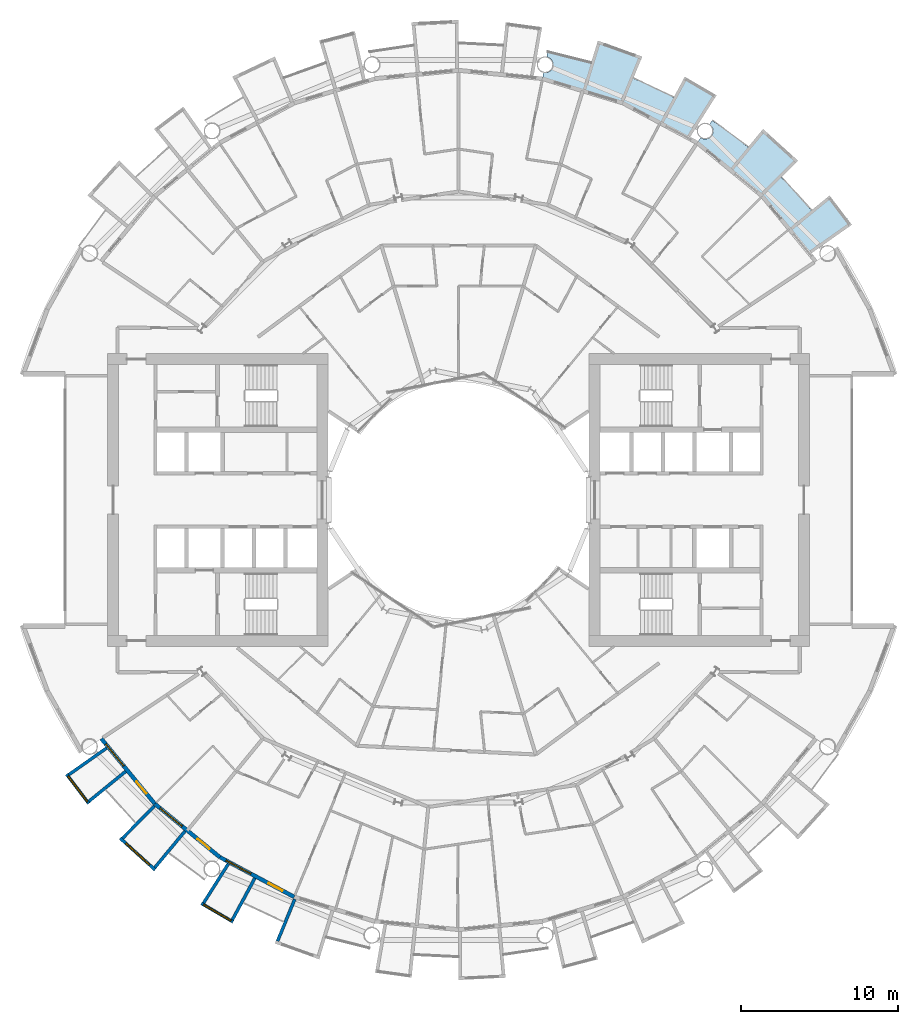
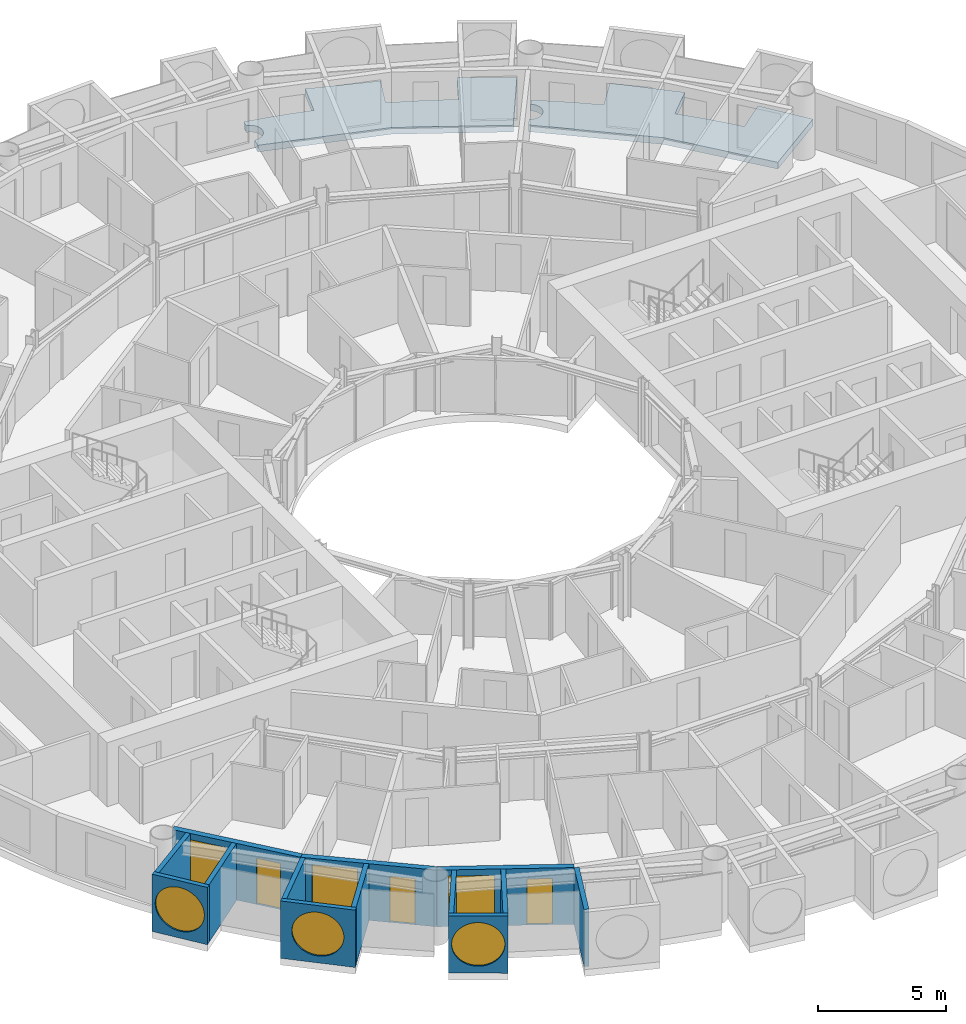
# One storey, part 12 of 26: 13 walls, 6 windows, 3 doors, 2 slabs, 9 openings.
"""IFC4 building model written with IfcOpenShell, lengths in metres."""

import ifcopenshell
import ifcopenshell.guid

model = None  # the IFC model being written
_history = None  # IfcOwnerHistory: only IFC2X3 demands one
_inside = {}  # id of a spatial element -> (the spatial element, [elements in it])
_under = {}  # id of a project, library or spatial element -> (it, [spatial elements below it])
_declared = {}  # id of a project -> (the project, [libraries it declares])
_typed = {}  # id of a type object -> (the type object, [elements of that type])
_made_of = {}  # id of a material, layer set ... -> (it, [elements and type objects made of it])


def new_model(schema):
    """Start an empty IFC model of exactly this schema.

    Asked for "IFC4X3", IfcOpenShell would pick the latest addendum, in which some entities
    have other attributes; the version numbers below select the first issue.
    IFC2X3 requires an IfcOwnerHistory on every rooted entity: one is made here for all.
    """
    global model, _history
    if schema == "IFC4X3":
        model = ifcopenshell.file(schema_version=(4, 3, 0, 0))
    else:
        model = ifcopenshell.file(schema=schema)
    _inside.clear()
    _under.clear()
    _declared.clear()
    _typed.clear()
    _made_of.clear()
    _history = None
    if model.schema == "IFC2X3":
        org = make("IfcOrganization", Name="unknown")
        user = make(
            "IfcPersonAndOrganization",
            ThePerson=make("IfcPerson", FamilyName="unknown"),
            TheOrganization=org,
        )
        app = make(
            "IfcApplication",
            ApplicationDeveloper=org,
            Version="unknown",
            ApplicationFullName="unknown",
            ApplicationIdentifier="unknown",
        )
        _history = make(
            "IfcOwnerHistory",
            OwningUser=user,
            OwningApplication=app,
            ChangeAction="ADDED",
            CreationDate=0,
        )
    return model


def make(cls, **values):
    """One entity of the class cls with the attributes given. An attribute that is None is left unset."""
    return model.create_entity(
        cls, **{name: value for name, value in values.items() if value is not None}
    )


def rooted(cls, **values):
    """An entity with a GlobalId (a new one), such as an element, a storey or a relation."""
    return make(cls, GlobalId=ifcopenshell.guid.new(), OwnerHistory=_history, **values)


def si_unit(unit_type, name, prefix=None):
    """IfcSIUnit, for example si_unit("LENGTHUNIT", "METRE", prefix="MILLI")."""
    return make("IfcSIUnit", UnitType=unit_type, Prefix=prefix, Name=name)


def assignment(units):
    """IfcUnitAssignment: the units of a project."""
    return None if units is None else make("IfcUnitAssignment", Units=units)


def point(xyz):
    """IfcCartesianPoint."""
    return None if xyz is None else make("IfcCartesianPoint", Coordinates=xyz)


def direction(xyz):
    """IfcDirection."""
    return None if xyz is None else make("IfcDirection", DirectionRatios=xyz)


def frame(location, z_axis=None, x_axis=None):
    """IfcAxis2Placement3D, a coordinate frame: its origin and axes. An axis left out is left unset."""
    return make(
        "IfcAxis2Placement3D",
        Location=point(location),
        Axis=direction(z_axis),
        RefDirection=direction(x_axis),
    )


def frame_2d(location, x_axis=None):
    """IfcAxis2Placement2D, a coordinate frame in the plane: its origin and x axis."""
    return make(
        "IfcAxis2Placement2D", Location=point(location), RefDirection=direction(x_axis)
    )


def origin():
    """The frame at (0, 0, 0) with its axes left unset."""
    return frame((0.0, 0.0, 0.0))


def place(relative_to, where):
    """IfcLocalPlacement: puts the frame where relative to a parent placement (None: the world)."""
    return make(
        "IfcLocalPlacement", PlacementRelTo=relative_to, RelativePlacement=where
    )


def context(
    kind, dimensions, precision=None, world=None, true_north=None, identifier=None
):
    """IfcGeometricRepresentationContext, for example the 3D "Model" context."""
    return make(
        "IfcGeometricRepresentationContext",
        ContextIdentifier=identifier,
        ContextType=kind,
        CoordinateSpaceDimension=dimensions,
        Precision=precision,
        WorldCoordinateSystem=world,
        TrueNorth=true_north,
    )


def subcontext(parent, identifier, kind, view, scale=None):
    """IfcGeometricRepresentationSubContext, for example "Body" below "Model"."""
    return make(
        "IfcGeometricRepresentationSubContext",
        ContextIdentifier=identifier,
        ContextType=kind,
        ParentContext=parent,
        TargetScale=scale,
        TargetView=view,
    )


def project(units=None, contexts=None):
    """IfcProject with its units and contexts."""
    return rooted(
        "IfcProject",
        Name="project",
        RepresentationContexts=contexts,
        UnitsInContext=assignment(units),
    )


def spatial(cls, under=None, at=None, **own):
    """A site, building, storey or space (cls), placed at a placement, below another one or the project."""
    s = rooted(cls, ObjectPlacement=at, **own)
    if under is not None:
        _under.setdefault(under.id(), (under, []))[1].append(s)
    return s


def polyline(points):
    """IfcPolyline through the points."""
    return make("IfcPolyline", Points=[point(p) for p in points])


def profile(cls, at=None, kind="AREA", **sizes):
    """A parametric profile (cls). Its sizes go by their IFC names, for example OverallWidth=200.0."""
    return make(cls, ProfileType=kind, Position=at, **sizes)


def rectangle(**sizes):
    """IfcRectangleProfileDef."""
    return profile("IfcRectangleProfileDef", **sizes)


def circle(**sizes):
    """IfcCircleProfileDef."""
    return profile("IfcCircleProfileDef", **sizes)


def outline(outer, holes=None, kind="AREA"):
    """IfcArbitraryClosedProfileDef: a profile drawn as a closed curve; with holes, ...WithVoids."""
    if holes is None:
        return make("IfcArbitraryClosedProfileDef", ProfileType=kind, OuterCurve=outer)
    return make(
        "IfcArbitraryProfileDefWithVoids",
        ProfileType=kind,
        OuterCurve=outer,
        InnerCurves=holes,
    )


def extrude(swept, where, along, depth):
    """IfcExtrudedAreaSolid: the profile swept, set in the frame where, extruded along a direction by depth."""
    return make(
        "IfcExtrudedAreaSolid",
        SweptArea=swept,
        Position=where,
        ExtrudedDirection=direction(along),
        Depth=depth,
    )


def shape(context_of_items, identifier, shape_type, items):
    """IfcShapeRepresentation: the items that make up one representation, for example the "Body"."""
    return make(
        "IfcShapeRepresentation",
        ContextOfItems=context_of_items,
        RepresentationIdentifier=identifier,
        RepresentationType=shape_type,
        Items=items,
    )


def material(Name=None, Category=None):
    """IfcMaterial."""
    return make("IfcMaterial", Name=Name, Category=Category)


def layer(
    of_material, thickness, ventilated=None, Name=None, Category=None, Priority=None
):
    """IfcMaterialLayer: one layer of a wall or slab, of a material (None: an air gap)."""
    return make(
        "IfcMaterialLayer",
        Material=of_material,
        LayerThickness=thickness,
        IsVentilated=ventilated,
        Name=Name,
        Category=Category,
        Priority=Priority,
    )


def layer_set(layers, Name=None):
    """IfcMaterialLayerSet."""
    return make("IfcMaterialLayerSet", MaterialLayers=layers, LayerSetName=Name)


def made_of(thing, what):
    """Note that an element or type object is made of a material, layer set ...; save() writes the relation."""
    if what is not None:
        _made_of.setdefault(what.id(), (what, []))[1].append(thing)
    return thing


def type_object(cls, material=None, **own):
    """A type object (cls), such as IfcWallType, which elements share."""
    return made_of(rooted(cls, **own), material)


def element(
    cls,
    number,
    at=None,
    inside=None,
    cuts=None,
    type_object=None,
    material=None,
    context=None,
    identifier="Body",
    shape_type=None,
    held_by="IfcProductDefinitionShape",
    body=None,
    shapes=None,
    **own,
):
    """One element of the class cls, such as IfcWall. Its Tag is "e" and its number.

    at: its placement. inside: the storey or other place that contains it. cuts: it is an
    opening in that element (IfcRelVoidsElement). A single representation is given by context,
    identifier, shape_type and body (its items); several are given by shapes. held_by: the class
    of the entity that holds the representations. save() writes the other relations.
    """
    e = rooted(cls, Tag="e%d" % number, ObjectPlacement=at, **own)
    if body is not None:
        shapes = [shape(context, identifier, shape_type, body)]
    if shapes is not None:
        e.Representation = make(held_by, Representations=shapes)
    if inside is not None:
        _inside.setdefault(inside.id(), (inside, []))[1].append(e)
    if cuts is not None:
        rooted(
            "IfcRelVoidsElement", RelatingBuildingElement=cuts, RelatedOpeningElement=e
        )
    if type_object is not None:
        _typed.setdefault(type_object.id(), (type_object, []))[1].append(e)
    return made_of(e, material)


def fill(opening, filler):
    """IfcRelFillsElement: the door or window that sits in an opening."""
    return rooted(
        "IfcRelFillsElement",
        RelatingOpeningElement=opening,
        RelatedBuildingElement=filler,
    )


def aggregate(whole, parts):
    """IfcRelAggregates: a whole, such as a stair, and the parts it consists of."""
    return rooted("IfcRelAggregates", RelatingObject=whole, RelatedObjects=parts)


def save(model, path):
    """Write the relations noted so far, then the file.

    IfcRelAggregates (storeys below a building ...), IfcRelContainedInSpatialStructure (elements
    in a storey), IfcRelDefinesByType, IfcRelAssociatesMaterial and IfcRelDeclares: one each for
    every whole, place, type object, material and project.
    """
    for whole, parts in _under.values():
        aggregate(whole, parts)
    for where, things in _inside.values():
        rooted(
            "IfcRelContainedInSpatialStructure",
            RelatedElements=things,
            RelatingStructure=where,
        )
    for kind, things in _typed.values():
        rooted("IfcRelDefinesByType", RelatedObjects=things, RelatingType=kind)
    for what, things in _made_of.values():
        rooted("IfcRelAssociatesMaterial", RelatedObjects=things, RelatingMaterial=what)
    for by, libraries in _declared.values():
        rooted("IfcRelDeclares", RelatingContext=by, RelatedDefinitions=libraries)
    model.write(path)


model = new_model("IFC4")

# Units and contexts
model_context = context("Model", 3, precision=1e-05, world=origin(), true_north=direction((0.0, 1.0)))
body_context = subcontext(model_context, "Body", "Model", "MODEL_VIEW")
ifc_project = project(units=[si_unit("LENGTHUNIT", "METRE"), si_unit("AREAUNIT", "SQUARE_METRE"), si_unit("VOLUMEUNIT", "CUBIC_METRE"), si_unit("PLANEANGLEUNIT", "RADIAN"), si_unit("MASSUNIT", "GRAM", prefix="KILO")], contexts=[model_context])

# Site, building, storey
site_placement = place(None, origin())
site = spatial("IfcSite", under=ifc_project, at=site_placement, CompositionType="ELEMENT")
building_placement = place(site_placement, origin())
building = spatial("IfcBuilding", under=site, at=building_placement, Name="Maasbend Ring Residences", CompositionType="ELEMENT")
storey_placement = place(building_placement, frame((0.0, 0.0, 75.800048828125)))
storey = spatial("IfcBuildingStorey", under=building, at=storey_placement, Name="L21", CompositionType="ELEMENT", Elevation=75.800048828125)

# Slabs
ifc_material_1 = material(Name="Concrete C40/50", Category="concrete")
ifc_layer_1 = layer(ifc_material_1, 0.199951171875)
ifc_layer_set_1 = layer_set([ifc_layer_1], Name="Concrete C40/50")
slab_type = type_object("IfcSlabType", Name="SL-LOGGIA", PredefinedType="FLOOR", material=ifc_layer_set_1)
slab_1_placement = place(storey_placement, frame((0.0, 0.0, -0.35009765625)))
element("IfcSlab", 1, at=slab_1_placement, inside=storey, type_object=slab_type, Name="Loggia floor 2", PredefinedType="FLOOR", context=body_context, shape_type="SweptSolid", body=[
    extrude(outline(polyline([(5.43896484375, 27.154052734375), (5.451904296875, 27.153076171875), (5.464111328125, 27.15087890625), (5.47705078125, 27.15087890625), (5.489013671875, 27.14990234375), (5.501953125, 27.14990234375), (5.513916015625, 27.14990234375), (5.52587890625, 27.15087890625), (5.5390625, 27.15087890625), (5.551025390625, 27.153076171875), (5.56396484375, 27.154052734375), (5.575927734375, 27.156005859375), (5.587890625, 27.157958984375), (5.60107421875, 27.159912109375), (5.613037109375, 27.162109375), (5.625, 27.1650390625), (5.636962890625, 27.1689453125), (5.64892578125, 27.172119140625), (5.660888671875, 27.176025390625), (5.673095703125, 27.179931640625), (5.68408203125, 27.18408203125), (5.696044921875, 27.18896484375), (5.70703125, 27.194091796875), (5.718994140625, 27.198974609375), (5.72998046875, 27.2041015625), (5.740966796875, 27.2099609375), (5.751953125, 27.216064453125), (5.762939453125, 27.221923828125), (5.77294921875, 27.22900390625), (5.783935546875, 27.236083984375), (5.7939453125, 27.242919921875), (5.803955078125, 27.25), (5.81396484375, 27.258056640625), (5.823974609375, 27.264892578125), (5.8330078125, 27.27294921875), (5.843017578125, 27.281982421875), (5.85205078125, 27.2900390625), (5.861083984375, 27.299072265625), (5.868896484375, 27.30810546875), (5.8779296875, 27.31689453125), (5.885986328125, 27.325927734375), (5.89404296875, 27.3359375), (5.902099609375, 27.345947265625), (5.909912109375, 27.35498046875), (5.9169921875, 27.365966796875), (5.924072265625, 27.3759765625), (5.930908203125, 27.385986328125), (5.93701171875, 27.39697265625), (5.944091796875, 27.407958984375), (5.949951171875, 27.4189453125), (5.955078125, 27.429931640625), (5.9609375, 27.44091796875), (5.966064453125, 27.451904296875), (5.970947265625, 27.464111328125), (5.97509765625, 27.47509765625), (5.97998046875, 27.487060546875), (5.98388671875, 27.4990234375), (5.988037109375, 27.510986328125), (5.990966796875, 27.52294921875), (5.993896484375, 27.534912109375), (5.9970703125, 27.547119140625), (6.0, 27.55908203125), (6.001953125, 27.571044921875), (6.00390625, 27.583984375), (6.006103515625, 27.595947265625), (6.007080078125, 27.60791015625), (6.008056640625, 27.62109375), (6.009033203125, 27.633056640625), (6.009033203125, 27.64599609375), (6.010009765625, 27.657958984375), (6.009033203125, 27.6708984375), (6.009033203125, 27.68310546875), (6.008056640625, 27.695068359375), (6.007080078125, 27.7080078125), (6.006103515625, 27.719970703125), (6.00390625, 27.73291015625), (6.001953125, 27.7451171875), (6.0, 27.757080078125), (5.9970703125, 27.76904296875), (5.993896484375, 27.781982421875), (5.990966796875, 27.7939453125), (5.988037109375, 27.805908203125), (5.98388671875, 27.81689453125), (5.97998046875, 27.8291015625), (5.97509765625, 27.841064453125), (5.970947265625, 27.85302734375), (5.966064453125, 27.864013671875), (5.9609375, 27.875), (5.955078125, 27.886962890625), (5.949951171875, 27.89794921875), (5.944091796875, 27.907958984375), (5.93701171875, 27.9189453125), (5.930908203125, 27.929931640625), (5.924072265625, 27.93994140625), (5.9169921875, 27.950927734375), (5.909912109375, 27.9609375), (5.902099609375, 27.970947265625), (5.89404296875, 27.97998046875), (5.885986328125, 27.989990234375), (5.8779296875, 27.9990234375), (5.868896484375, 28.008056640625), (5.861083984375, 28.01708984375), (5.85205078125, 28.02587890625), (5.843017578125, 28.034912109375), (5.8330078125, 28.04296875), (5.823974609375, 28.051025390625), (5.81396484375, 28.05908203125), (5.803955078125, 28.06591796875), (5.7939453125, 28.072998046875), (5.783935546875, 28.080078125), (5.77294921875, 28.0869140625), (5.762939453125, 28.093994140625), (5.751953125, 28.10009765625), (5.740966796875, 28.10595703125), (5.72998046875, 28.112060546875), (5.718994140625, 28.116943359375), (5.70703125, 28.123046875), (5.696044921875, 28.126953125), (5.68408203125, 28.132080078125), (5.673095703125, 28.135986328125), (5.660888671875, 28.139892578125), (5.64892578125, 28.14404296875), (5.636962890625, 28.14794921875), (5.625, 28.15087890625), (5.613037109375, 28.154052734375), (5.60107421875, 28.156005859375), (5.657958984375, 28.443115234375), (5.657958984375, 28.443115234375), (5.657958984375, 28.443115234375), (6.5849609375, 28.241943359375), (6.5849609375, 28.241943359375), (7.506103515625, 28.011962890625), (7.506103515625, 28.011962890625), (8.41796875, 27.7509765625), (8.41796875, 27.7509765625), (8.41796875, 27.7509765625), (8.41796875, 27.7509765625), (8.41796875, 27.7509765625), (8.41796875, 27.7509765625), (8.41796875, 27.7509765625), (8.41796875, 27.7509765625), (8.41796875, 27.7509765625), (8.41796875, 27.7509765625), (8.41796875, 27.751953125), (8.41796875, 27.751953125), (8.41796875, 27.751953125), (8.41796875, 27.751953125), (8.41796875, 27.751953125), (8.41796875, 27.751953125), (8.41796875, 27.751953125), (8.85400390625, 29.18701171875), (8.85400390625, 29.18701171875), (8.85400390625, 29.18701171875), (11.672119140625, 28.177978515625), (11.672119140625, 28.177978515625), (11.672119140625, 28.177978515625), (11.097900390625, 26.79296875), (11.097900390625, 26.79296875), (11.097900390625, 26.79296875), (11.097900390625, 26.79296875), (11.097900390625, 26.79296875), (11.097900390625, 26.79296875), (11.097900390625, 26.79296875), (11.097900390625, 26.79296875), (11.097900390625, 26.79296875), (11.097900390625, 26.79296875), (11.097900390625, 26.7919921875), (11.097900390625, 26.7919921875), (11.097900390625, 26.7919921875), (11.097900390625, 26.7919921875), (11.097900390625, 26.7919921875), (11.097900390625, 26.7919921875), (11.097900390625, 26.7919921875), (11.968994140625, 26.4150390625), (11.968994140625, 26.4150390625), (12.825927734375, 26.009033203125), (12.825927734375, 26.009033203125), (13.669921875, 25.575927734375), (13.669921875, 25.575927734375), (13.669921875, 25.575927734375), (13.669921875, 25.575927734375), (13.669921875, 25.575927734375), (13.669921875, 25.575927734375), (13.669921875, 25.575927734375), (13.669921875, 25.575927734375), (13.669921875, 25.575927734375), (13.669921875, 25.575927734375), (13.6708984375, 25.575927734375), (13.6708984375, 25.575927734375), (13.6708984375, 25.575927734375), (13.6708984375, 25.575927734375), (13.6708984375, 25.575927734375), (13.6708984375, 25.575927734375), (13.6708984375, 25.575927734375), (14.3779296875, 26.89892578125), (14.3779296875, 26.89892578125), (14.3779296875, 26.89892578125), (16.39404296875, 25.718994140625), (16.39404296875, 25.718994140625), (16.39404296875, 25.718994140625), (14.64599609375, 22.97705078125), (14.64599609375, 22.97705078125), (14.64599609375, 22.97705078125), (12.806884765625, 23.9609375), (10.447021484375, 25.221923828125), (10.447021484375, 25.221923828125), (10.447021484375, 25.221923828125), (7.886962890625, 25.9990234375), (5.325927734375, 26.77490234375), (5.325927734375, 26.77490234375), (5.325927734375, 26.77490234375), (5.402099609375, 27.159912109375), (5.4150390625, 27.157958984375), (5.427001953125, 27.156005859375), (5.43896484375, 27.154052734375)])), origin(), (0.0, 0.0, 1.0), 0.320068359375),
])
slab_2_placement = place(storey_placement, frame((0.0, 0.0, -0.35009765625)))
element("IfcSlab", 2, at=slab_2_placement, inside=storey, type_object=slab_type, Name="Loggia floor 4", PredefinedType="FLOOR", context=body_context, shape_type="SweptSolid", body=[
    extrude(outline(polyline([(15.406005859375, 23.011962890625), (15.4169921875, 23.0048828125), (15.427978515625, 22.9990234375), (15.43896484375, 22.993896484375), (15.449951171875, 22.988037109375), (15.4609375, 22.98291015625), (15.472900390625, 22.97802734375), (15.48388671875, 22.972900390625), (15.49609375, 22.968994140625), (15.508056640625, 22.965087890625), (15.52001953125, 22.9609375), (15.531982421875, 22.9580078125), (15.5439453125, 22.955078125), (15.555908203125, 22.951904296875), (15.568115234375, 22.948974609375), (15.580078125, 22.947021484375), (15.593017578125, 22.945068359375), (15.60498046875, 22.943115234375), (15.616943359375, 22.94189453125), (15.6298828125, 22.94091796875), (15.64208984375, 22.93994140625), (15.655029296875, 22.93994140625), (15.6669921875, 22.93896484375), (15.679931640625, 22.93994140625), (15.69189453125, 22.93994140625), (15.7041015625, 22.94091796875), (15.717041015625, 22.94189453125), (15.72900390625, 22.943115234375), (15.741943359375, 22.945068359375), (15.75390625, 22.947021484375), (15.76611328125, 22.948974609375), (15.778076171875, 22.951904296875), (15.791015625, 22.955078125), (15.802978515625, 22.9580078125), (15.81494140625, 22.9609375), (15.825927734375, 22.965087890625), (15.837890625, 22.968994140625), (15.85009765625, 22.972900390625), (15.862060546875, 22.97802734375), (15.873046875, 22.98291015625), (15.884033203125, 22.988037109375), (15.89599609375, 22.993896484375), (15.906982421875, 22.9990234375), (15.9169921875, 23.0048828125), (15.927978515625, 23.011962890625), (15.93896484375, 23.01806640625), (15.948974609375, 23.02490234375), (15.9599609375, 23.031982421875), (15.969970703125, 23.0390625), (15.97998046875, 23.047119140625), (15.989013671875, 23.054931640625), (15.9990234375, 23.06298828125), (16.008056640625, 23.071044921875), (16.01708984375, 23.0791015625), (16.02587890625, 23.087890625), (16.034912109375, 23.096923828125), (16.0439453125, 23.10595703125), (16.052001953125, 23.115966796875), (16.06005859375, 23.125), (16.068115234375, 23.135009765625), (16.074951171875, 23.14501953125), (16.08203125, 23.155029296875), (16.089111328125, 23.1650390625), (16.095947265625, 23.176025390625), (16.10302734375, 23.18603515625), (16.10888671875, 23.197021484375), (16.114990234375, 23.2080078125), (16.12109375, 23.218994140625), (16.1259765625, 23.22998046875), (16.132080078125, 23.241943359375), (16.135986328125, 23.2529296875), (16.14111328125, 23.264892578125), (16.14501953125, 23.27587890625), (16.14892578125, 23.2880859375), (16.153076171875, 23.300048828125), (16.156982421875, 23.31201171875), (16.159912109375, 23.323974609375), (16.1630859375, 23.3359375), (16.1650390625, 23.347900390625), (16.16796875, 23.361083984375), (16.169921875, 23.373046875), (16.1708984375, 23.385009765625), (16.173095703125, 23.39794921875), (16.174072265625, 23.409912109375), (16.174072265625, 23.422119140625), (16.175048828125, 23.43505859375), (16.175048828125, 23.447021484375), (16.175048828125, 23.4599609375), (16.174072265625, 23.471923828125), (16.174072265625, 23.485107421875), (16.173095703125, 23.4970703125), (16.1708984375, 23.510009765625), (16.169921875, 23.52197265625), (16.16796875, 23.533935546875), (16.1650390625, 23.547119140625), (16.1630859375, 23.55908203125), (16.159912109375, 23.571044921875), (16.156982421875, 23.5830078125), (16.153076171875, 23.594970703125), (16.14892578125, 23.60693359375), (16.14501953125, 23.618896484375), (16.14111328125, 23.6298828125), (16.135986328125, 23.64208984375), (16.132080078125, 23.653076171875), (16.1259765625, 23.6650390625), (16.12109375, 23.676025390625), (16.114990234375, 23.68701171875), (16.10888671875, 23.697998046875), (16.10302734375, 23.708984375), (16.095947265625, 23.718994140625), (16.089111328125, 23.72998046875), (16.08203125, 23.739990234375), (16.074951171875, 23.75), (16.068115234375, 23.760009765625), (16.06005859375, 23.77001953125), (16.052001953125, 23.779052734375), (16.0439453125, 23.7890625), (16.034912109375, 23.798095703125), (16.02587890625, 23.806884765625), (16.01708984375, 23.81494140625), (16.008056640625, 23.823974609375), (15.9990234375, 23.83203125), (15.989013671875, 23.840087890625), (15.97998046875, 23.847900390625), (15.969970703125, 23.85498046875), (15.9599609375, 23.863037109375), (15.948974609375, 23.8701171875), (15.948974609375, 23.8701171875), (16.112060546875, 24.113037109375), (16.112060546875, 24.113037109375), (16.112060546875, 24.113037109375), (16.89208984375, 23.572998046875), (16.89208984375, 23.572998046875), (17.654052734375, 23.007080078125), (17.654052734375, 23.007080078125), (18.39697265625, 22.41796875), (18.39697265625, 22.41796875), (18.39697265625, 22.41796875), (18.39697265625, 22.41796875), (18.39697265625, 22.41796875), (18.39697265625, 22.41796875), (18.39697265625, 22.41796875), (18.39697265625, 22.41796875), (18.39697265625, 22.41796875), (18.39697265625, 22.41796875), (18.39697265625, 22.41796875), (18.39794921875, 22.41796875), (18.39794921875, 22.41796875), (18.39794921875, 22.41796875), (18.39794921875, 22.41796875), (18.39794921875, 22.41796875), (18.39794921875, 22.41796875), (19.34912109375, 23.576904296875), (19.34912109375, 23.576904296875), (19.34912109375, 23.576904296875), (21.56689453125, 21.56689453125), (21.56689453125, 21.56689453125), (21.56689453125, 21.56689453125), (20.506103515625, 20.506103515625), (20.506103515625, 20.506103515625), (20.506103515625, 20.506103515625), (20.506103515625, 20.506103515625), (20.506103515625, 20.506103515625), (20.506103515625, 20.506103515625), (20.506103515625, 20.506103515625), (20.506103515625, 20.506103515625), (20.506103515625, 20.506103515625), (20.506103515625, 20.506103515625), (20.506103515625, 20.506103515625), (20.506103515625, 20.506103515625), (20.506103515625, 20.506103515625), (20.506103515625, 20.506103515625), (20.506103515625, 20.506103515625), (20.506103515625, 20.506103515625), (20.506103515625, 20.506103515625), (21.166015625, 19.823974609375), (21.166015625, 19.823974609375), (21.802978515625, 19.12109375), (21.802978515625, 19.12109375), (22.4169921875, 18.39794921875), (22.4169921875, 18.39794921875), (22.4169921875, 18.39794921875), (22.4169921875, 18.39794921875), (22.4169921875, 18.39794921875), (22.4169921875, 18.39794921875), (22.4169921875, 18.39794921875), (22.4169921875, 18.39794921875), (22.4169921875, 18.39794921875), (22.4169921875, 18.39794921875), (22.4169921875, 18.39794921875), (22.4169921875, 18.39794921875), (22.41796875, 18.39794921875), (22.41796875, 18.39794921875), (22.41796875, 18.39794921875), (22.41796875, 18.39794921875), (22.41796875, 18.39794921875), (23.576904296875, 19.34912109375), (23.576904296875, 19.34912109375), (23.576904296875, 19.34912109375), (24.989013671875, 17.488037109375), (24.989013671875, 17.488037109375), (24.989013671875, 17.488037109375), (22.324951171875, 15.623046875), (22.324951171875, 15.623046875), (22.324951171875, 15.623046875), (21.001953125, 17.236083984375), (19.303955078125, 19.303955078125), (19.303955078125, 19.303955078125), (19.303955078125, 19.303955078125), (17.236083984375, 21.001953125), (15.1669921875, 22.698974609375), (15.1669921875, 22.698974609375), (15.1669921875, 22.698974609375), (15.385009765625, 23.02490234375), (15.385009765625, 23.02490234375), (15.39501953125, 23.01806640625), (15.406005859375, 23.011962890625)])), origin(), (0.0, 0.0, 1.0), 0.320068359375),
])

# Wall, opening, window
ifc_material_2 = material(Name="Pale anodised aluminium panel", Category="aluminium")
ifc_layer_2 = layer(ifc_material_2, 0.199951171875)
ifc_layer_set_2 = layer_set([ifc_layer_2], Name="EW-BOX")
wall_type_1 = type_object("IfcWallType", Name="EW-BOX", PredefinedType="SOLIDWALL", material=ifc_layer_set_2)
wall_1_placement = place(storey_placement, frame((-24.908935546875, -17.427001953125, -0.030029296875), z_axis=(0.0, 0.0, 1.0), x_axis=(0.60418752353, -0.796842165306, 0.0)))
wall_1 = element("IfcWall", 3, at=wall_1_placement, inside=storey, type_object=wall_type_1, Name="Box front S01", PredefinedType="SOLIDWALL", context=body_context, shape_type="SweptSolid", body=[
    extrude(rectangle(XDim=2.3369140625, YDim=0.199951171875, at=frame_2d((1.16845703125, 0.0))), origin(), (0.0, 0.0, 1.0), 2.72998046875),
])
opening_1_placement = place(wall_1_placement, frame((0.128173828125, 0.0, 0.330078125)))
opening_1 = element("IfcOpeningElement", 4, at=opening_1_placement, cuts=wall_1, Name="Opening W-RD", PredefinedType="OPENING", context=body_context, shape_type="SweptSolid", body=[
    extrude(circle(Radius=1.0400390625, at=frame_2d((1.0400390625, 1.0400390625))), frame((0.0, 0.10986328125, 0.0), z_axis=(0.0, -1.0, 0.0), x_axis=(1.0, 0.0, 0.0)), (0.0, 0.0, 1.0), 0.219970703125),
])
ifc_material_3 = material(Name="Aluminium and clear glass", Category="aluminium")
window_type_1 = type_object("IfcWindowType", Name="W-RD", PartitioningType="SINGLE_PANEL", PredefinedType="WINDOW", material=ifc_material_3)
window_1_placement = place(opening_1_placement, origin())
window_1 = element("IfcWindow", 5, at=window_1_placement, inside=storey, type_object=window_type_1, Name="Round window S01", OverallHeight=2.080078125, OverallWidth=2.080078125, PartitioningType="SINGLE_PANEL", PredefinedType="WINDOW", context=body_context, shape_type="SweptSolid", body=[
    extrude(circle(Radius=1.0400390625, at=frame_2d((1.0400390625, 1.0400390625))), frame((0.0, 0.030029296875, 0.0), z_axis=(0.0, -1.0, 0.0), x_axis=(1.0, 0.0, 0.0)), (0.0, 0.0, 1.0), 0.06005859375),
])
fill(opening_1, window_1)

# Walls
wall_2_placement = place(storey_placement, frame((-22.3701171875, -15.764892578125, -0.030029296875), z_axis=(0.0, 0.0, 1.0), x_axis=(-0.817256123454, -0.576274612209, 0.0)))
element("IfcWall", 6, at=wall_2_placement, inside=storey, type_object=wall_type_1, Name="Box side wall S01 left", PredefinedType="SOLIDWALL", context=body_context, shape_type="SweptSolid", body=[
    extrude(rectangle(XDim=2.932861328125, YDim=0.199951171875, at=frame_2d((1.46630859375, 0.0))), origin(), (0.0, 0.0, 1.0), 2.72998046875),
])
wall_3_placement = place(storey_placement, frame((-21.155029296875, -17.24609375, -0.030029296875), z_axis=(0.0, 0.0, 1.0), x_axis=(-0.775179004516, -0.631741648902, 0.0)))
element("IfcWall", 7, at=wall_3_placement, inside=storey, type_object=wall_type_1, Name="Box side wall S01 right", PredefinedType="SOLIDWALL", context=body_context, shape_type="SweptSolid", body=[
    extrude(rectangle(XDim=3.005859375, YDim=0.199951171875, at=frame_2d((1.5029296875, 0.0))), origin(), (0.0, 0.0, 1.0), 2.72998046875),
])

# Wall, opening, window
wall_4_placement = place(storey_placement, frame((-21.5, -21.492919921875, -0.030029296875), z_axis=(0.0, 0.0, 1.0), x_axis=(0.740998365753, -0.671506829416, 0.0)))
wall_4 = element("IfcWall", 8, at=wall_4_placement, inside=storey, type_object=wall_type_1, Name="Box front S03", PredefinedType="SOLIDWALL", context=body_context, shape_type="SweptSolid", body=[
    extrude(rectangle(XDim=2.9931640625, YDim=0.199951171875, at=frame_2d((1.49658203125, 0.0))), origin(), (0.0, 0.0, 1.0), 2.72998046875),
])
opening_2_placement = place(wall_4_placement, frame((0.45654296875, 0.0, 0.330078125)))
opening_2 = element("IfcOpeningElement", 9, at=opening_2_placement, cuts=wall_4, Name="Opening W-RD", PredefinedType="OPENING", context=body_context, shape_type="SweptSolid", body=[
    extrude(circle(Radius=1.0400390625, at=frame_2d((1.0400390625, 1.0400390625))), frame((0.0, 0.10986328125, 0.0), z_axis=(0.0, -1.0, 0.0), x_axis=(1.0, 0.0, 0.0)), (0.0, 0.0, 1.0), 0.219970703125),
])
window_2_placement = place(opening_2_placement, origin())
window_2 = element("IfcWindow", 10, at=window_2_placement, inside=storey, type_object=window_type_1, Name="Round window S03", OverallHeight=2.080078125, OverallWidth=2.080078125, PartitioningType="SINGLE_PANEL", PredefinedType="WINDOW", context=body_context, shape_type="SweptSolid", body=[
    extrude(circle(Radius=1.0400390625, at=frame_2d((1.0400390625, 1.0400390625))), frame((0.0, 0.030029296875, 0.0), z_axis=(0.0, -1.0, 0.0), x_axis=(1.0, 0.0, 0.0)), (0.0, 0.0, 1.0), 0.06005859375),
])
fill(opening_2, window_2)

# Walls
wall_5_placement = place(storey_placement, frame((-19.322998046875, -19.449951171875, -0.030029296875), z_axis=(0.0, 0.0, 1.0), x_axis=(-0.704476739375, -0.709727076896, 0.0)))
element("IfcWall", 11, at=wall_5_placement, inside=storey, type_object=wall_type_1, Name="Box side wall S03 left", PredefinedType="SOLIDWALL", context=body_context, shape_type="SweptSolid", body=[
    extrude(rectangle(XDim=2.883056640625, YDim=0.199951171875, at=frame_2d((1.44140625, 0.0))), origin(), (0.0, 0.0, 1.0), 2.72998046875),
])
wall_6_placement = place(storey_placement, frame((-17.384033203125, -21.041015625, -0.030029296875), z_axis=(0.0, 0.0, 1.0), x_axis=(-0.63709551667, -0.770784861449, 0.0)))
element("IfcWall", 12, at=wall_6_placement, inside=storey, type_object=wall_type_1, Name="Box side wall S03 right", PredefinedType="SOLIDWALL", context=body_context, shape_type="SweptSolid", body=[
    extrude(rectangle(XDim=3.005859375, YDim=0.199951171875, at=frame_2d((1.5029296875, 0.0))), origin(), (0.0, 0.0, 1.0), 2.72998046875),
])

# Wall, opening, window
wall_7_placement = place(storey_placement, frame((-16.343994140625, -25.633056640625, -0.030029296875), z_axis=(0.0, 0.0, 1.0), x_axis=(0.863346521872, -0.504611517081, 0.0)))
wall_7 = element("IfcWall", 13, at=wall_7_placement, inside=storey, type_object=wall_type_1, Name="Box front S05", PredefinedType="SOLIDWALL", context=body_context, shape_type="SweptSolid", body=[
    extrude(rectangle(XDim=2.33642578125, YDim=0.199951171875, at=frame_2d((1.168212890625, 0.0))), origin(), (0.0, 0.0, 1.0), 2.72998046875),
])
opening_3_placement = place(wall_7_placement, frame((0.128173828125, 0.0, 0.330078125)))
opening_3 = element("IfcOpeningElement", 14, at=opening_3_placement, cuts=wall_7, Name="Opening W-RD", PredefinedType="OPENING", context=body_context, shape_type="SweptSolid", body=[
    extrude(circle(Radius=1.0400390625, at=frame_2d((1.0400390625, 1.0400390625))), frame((0.0, 0.10986328125, 0.0), z_axis=(0.0, -1.0, 0.0), x_axis=(1.0, 0.0, 0.0)), (0.0, 0.0, 1.0), 0.219970703125),
])
window_3_placement = place(opening_3_placement, origin())
window_3 = element("IfcWindow", 15, at=window_3_placement, inside=storey, type_object=window_type_1, Name="Round window S05", OverallHeight=2.080078125, OverallWidth=2.080078125, PartitioningType="SINGLE_PANEL", PredefinedType="WINDOW", context=body_context, shape_type="SweptSolid", body=[
    extrude(circle(Radius=1.0400390625, at=frame_2d((1.0400390625, 1.0400390625))), frame((0.0, 0.030029296875, 0.0), z_axis=(0.0, -1.0, 0.0), x_axis=(1.0, 0.0, 0.0)), (0.0, 0.0, 1.0), 0.06005859375),
])
fill(opening_3, window_3)

# Walls
wall_8_placement = place(storey_placement, frame((-14.635009765625, -23.1259765625, -0.030029296875), z_axis=(0.0, 0.0, 1.0), x_axis=(-0.534437802731, -0.845207805816, 0.0)))
element("IfcWall", 16, at=wall_8_placement, inside=storey, type_object=wall_type_1, Name="Box side wall S05 left", PredefinedType="SOLIDWALL", context=body_context, shape_type="SweptSolid", body=[
    extrude(rectangle(XDim=2.931884765625, YDim=0.199951171875, at=frame_2d((1.4658203125, 0.0))), origin(), (0.0, 0.0, 1.0), 2.72998046875),
])
wall_9_placement = place(storey_placement, frame((-12.945068359375, -24.029052734375, -0.030029296875), z_axis=(0.0, 0.0, 1.0), x_axis=(-0.474424310775, -0.88029629861, 0.0)))
element("IfcWall", 17, at=wall_9_placement, inside=storey, type_object=wall_type_1, Name="Box side wall S05 right", PredefinedType="SOLIDWALL", context=body_context, shape_type="SweptSolid", body=[
    extrude(rectangle(XDim=3.005859375, YDim=0.199951171875, at=frame_2d((1.5029296875, 0.0))), origin(), (0.0, 0.0, 1.0), 2.72998046875),
])
wall_10_placement = place(storey_placement, frame((-10.408935546875, -25.364013671875, -0.030029296875), z_axis=(0.0, 0.0, 1.0), x_axis=(-0.379509886562, -0.925187681501, 0.0)))
element("IfcWall", 18, at=wall_10_placement, inside=storey, type_object=wall_type_1, Name="Box side wall S07 left", PredefinedType="SOLIDWALL", context=body_context, shape_type="SweptSolid", body=[
    extrude(rectangle(XDim=2.882568359375, YDim=0.199951171875, at=frame_2d((1.44140625, 0.0))), origin(), (0.0, 0.0, 1.0), 2.72998046875),
])

# Wall, openings, door, window
ifc_material_4 = material(Name="Aluminium clad insulated panel", Category="aluminium")
ifc_layer_3 = layer(ifc_material_4, 0.25)
ifc_layer_set_3 = layer_set([ifc_layer_3], Name="EW-GL")
wall_type_2 = type_object("IfcWallType", Name="EW-GL", PredefinedType="SOLIDWALL", material=ifc_layer_set_3)
wall_11_placement = place(storey_placement, frame((-22.698974609375, -15.1669921875, 0.0), z_axis=(0.0, 0.0, 1.0), x_axis=(0.634382322723, -0.773019449054, 0.0)))
wall_11 = element("IfcWall", 19, at=wall_11_placement, inside=storey, type_object=wall_type_2, Name="External wall S01", PredefinedType="SOLIDWALL", context=body_context, shape_type="SweptSolid", body=[
    extrude(rectangle(XDim=5.351806640625, YDim=0.25, at=frame_2d((2.67578125, 0.0))), origin(), (0.0, 0.0, 1.0), 2.699951171875),
])
opening_4_placement = place(wall_11_placement, frame((0.441162109375, 0.0, 0.300048828125)))
opening_4 = element("IfcOpeningElement", 20, at=opening_4_placement, cuts=wall_11, Name="Opening W-BX", PredefinedType="OPENING", context=body_context, shape_type="SweptSolid", body=[
    extrude(rectangle(XDim=1.800048828125, YDim=2.10009765625, at=frame_2d((0.89990234375, 1.050048828125))), frame((0.0, 0.135009765625, 0.0), z_axis=(0.0, -1.0, 0.0), x_axis=(1.0, 0.0, 0.0)), (0.0, 0.0, 1.0), 0.27001953125),
])
opening_5_placement = place(wall_11_placement, frame((3.510498046875, 0.0, 0.0)))
opening_5 = element("IfcOpeningElement", 21, at=opening_5_placement, cuts=wall_11, Name="Opening D-LG", PredefinedType="OPENING", context=body_context, shape_type="SweptSolid", body=[
    extrude(rectangle(XDim=1.0, YDim=2.199951171875, at=frame_2d((0.5, 1.10009765625))), frame((0.0, 0.135009765625, 0.0), z_axis=(0.0, -1.0, 0.0), x_axis=(1.0, 0.0, 0.0)), (0.0, 0.0, 1.0), 0.27001953125),
])
ifc_material_5 = material(Name="Aluminium and clear glass", Category="aluminium")
door_type = type_object("IfcDoorType", Name="D-LG", OperationType="SINGLE_SWING_LEFT", PredefinedType="DOOR", material=ifc_material_5)
door_1_placement = place(opening_5_placement, origin())
door_1 = element("IfcDoor", 22, at=door_1_placement, inside=storey, type_object=door_type, Name="Loggia door S02", OperationType="SINGLE_SWING_LEFT", OverallHeight=2.199951171875, OverallWidth=1.0, PredefinedType="DOOR", context=body_context, shape_type="SweptSolid", body=[
    extrude(rectangle(XDim=1.0, YDim=2.199951171875, at=frame_2d((0.5, 1.10009765625))), frame((0.0, 0.02490234375, 0.0), z_axis=(0.0, -1.0, 0.0), x_axis=(1.0, 0.0, 0.0)), (0.0, 0.0, 1.0), 0.050048828125),
])
fill(opening_5, door_1)
ifc_material_6 = material(Name="Aluminium and clear glass", Category="aluminium")
window_type_2 = type_object("IfcWindowType", Name="W-BX", PartitioningType="DOUBLE_PANEL_VERTICAL", PredefinedType="WINDOW", material=ifc_material_6)
window_4_placement = place(opening_4_placement, origin())
window_4 = element("IfcWindow", 23, at=window_4_placement, inside=storey, type_object=window_type_2, Name="Window S01 room to box", OverallHeight=2.10009765625, OverallWidth=1.800048828125, PartitioningType="SINGLE_PANEL", PredefinedType="WINDOW", context=body_context, shape_type="SweptSolid", body=[
    extrude(rectangle(XDim=1.800048828125, YDim=2.10009765625, at=frame_2d((0.89990234375, 1.050048828125))), frame((0.0, 0.030029296875, 0.0), z_axis=(0.0, -1.0, 0.0), x_axis=(1.0, 0.0, 0.0)), (0.0, 0.0, 1.0), 0.06005859375),
])
fill(opening_4, window_4)

wall_12_placement = place(storey_placement, frame((-19.303955078125, -19.303955078125, 0.0), z_axis=(0.0, 0.0, 1.0), x_axis=(0.773019449054, -0.634382322723, 0.0)))
wall_12 = element("IfcWall", 24, at=wall_12_placement, inside=storey, type_object=wall_type_2, Name="External wall S02", PredefinedType="SOLIDWALL", context=body_context, shape_type="SweptSolid", body=[
    extrude(rectangle(XDim=5.351806640625, YDim=0.25, at=frame_2d((2.67578125, 0.0))), origin(), (0.0, 0.0, 1.0), 2.699951171875),
])
opening_6_placement = place(wall_12_placement, frame((0.441162109375, 0.0, 0.300048828125)))
opening_6 = element("IfcOpeningElement", 25, at=opening_6_placement, cuts=wall_12, Name="Opening W-BX", PredefinedType="OPENING", context=body_context, shape_type="SweptSolid", body=[
    extrude(rectangle(XDim=1.800048828125, YDim=2.10009765625, at=frame_2d((0.89990234375, 1.050048828125))), frame((0.0, 0.135009765625, 0.0), z_axis=(0.0, -1.0, 0.0), x_axis=(1.0, 0.0, 0.0)), (0.0, 0.0, 1.0), 0.27001953125),
])
opening_7_placement = place(wall_12_placement, frame((3.510498046875, 0.0, 0.0)))
opening_7 = element("IfcOpeningElement", 26, at=opening_7_placement, cuts=wall_12, Name="Opening D-LG", PredefinedType="OPENING", context=body_context, shape_type="SweptSolid", body=[
    extrude(rectangle(XDim=1.0, YDim=2.199951171875, at=frame_2d((0.5, 1.10009765625))), frame((0.0, 0.135009765625, 0.0), z_axis=(0.0, -1.0, 0.0), x_axis=(1.0, 0.0, 0.0)), (0.0, 0.0, 1.0), 0.27001953125),
])
door_2_placement = place(opening_7_placement, origin())
door_2 = element("IfcDoor", 27, at=door_2_placement, inside=storey, type_object=door_type, Name="Loggia door S04", OperationType="SINGLE_SWING_LEFT", OverallHeight=2.199951171875, OverallWidth=1.0, PredefinedType="DOOR", context=body_context, shape_type="SweptSolid", body=[
    extrude(rectangle(XDim=1.0, YDim=2.199951171875, at=frame_2d((0.5, 1.10009765625))), frame((0.0, 0.02490234375, 0.0), z_axis=(0.0, -1.0, 0.0), x_axis=(1.0, 0.0, 0.0)), (0.0, 0.0, 1.0), 0.050048828125),
])
fill(opening_7, door_2)
window_5_placement = place(opening_6_placement, origin())
window_5 = element("IfcWindow", 28, at=window_5_placement, inside=storey, type_object=window_type_2, Name="Window S03 room to box", OverallHeight=2.10009765625, OverallWidth=1.800048828125, PartitioningType="SINGLE_PANEL", PredefinedType="WINDOW", context=body_context, shape_type="SweptSolid", body=[
    extrude(rectangle(XDim=1.800048828125, YDim=2.10009765625, at=frame_2d((0.89990234375, 1.050048828125))), frame((0.0, 0.030029296875, 0.0), z_axis=(0.0, -1.0, 0.0), x_axis=(1.0, 0.0, 0.0)), (0.0, 0.0, 1.0), 0.06005859375),
])
fill(opening_6, window_5)

wall_13_placement = place(storey_placement, frame((-15.1669921875, -22.698974609375, 0.0), z_axis=(0.0, 0.0, 1.0), x_axis=(0.881915646801, -0.471407246368, 0.0)))
wall_13 = element("IfcWall", 29, at=wall_13_placement, inside=storey, type_object=wall_type_2, Name="External wall S03", PredefinedType="SOLIDWALL", context=body_context, shape_type="SweptSolid", body=[
    extrude(rectangle(XDim=5.35205078125, YDim=0.25, at=frame_2d((2.676025390625, 0.0))), origin(), (0.0, 0.0, 1.0), 2.699951171875),
])
opening_8_placement = place(wall_13_placement, frame((0.441162109375, 0.0, 0.300048828125)))
opening_8 = element("IfcOpeningElement", 30, at=opening_8_placement, cuts=wall_13, Name="Opening W-BX", PredefinedType="OPENING", context=body_context, shape_type="SweptSolid", body=[
    extrude(rectangle(XDim=1.800048828125, YDim=2.10009765625, at=frame_2d((0.89990234375, 1.050048828125))), frame((0.0, 0.135009765625, 0.0), z_axis=(0.0, -1.0, 0.0), x_axis=(1.0, 0.0, 0.0)), (0.0, 0.0, 1.0), 0.27001953125),
])
opening_9_placement = place(wall_13_placement, frame((3.510498046875, 0.0, 0.0)))
opening_9 = element("IfcOpeningElement", 31, at=opening_9_placement, cuts=wall_13, Name="Opening D-LG", PredefinedType="OPENING", context=body_context, shape_type="SweptSolid", body=[
    extrude(rectangle(XDim=1.0, YDim=2.199951171875, at=frame_2d((0.5, 1.10009765625))), frame((0.0, 0.135009765625, 0.0), z_axis=(0.0, -1.0, 0.0), x_axis=(1.0, 0.0, 0.0)), (0.0, 0.0, 1.0), 0.27001953125),
])
door_3_placement = place(opening_9_placement, origin())
door_3 = element("IfcDoor", 32, at=door_3_placement, inside=storey, type_object=door_type, Name="Loggia door S06", OperationType="SINGLE_SWING_LEFT", OverallHeight=2.199951171875, OverallWidth=1.0, PredefinedType="DOOR", context=body_context, shape_type="SweptSolid", body=[
    extrude(rectangle(XDim=1.0, YDim=2.199951171875, at=frame_2d((0.5, 1.10009765625))), frame((0.0, 0.02490234375, 0.0), z_axis=(0.0, -1.0, 0.0), x_axis=(1.0, 0.0, 0.0)), (0.0, 0.0, 1.0), 0.050048828125),
])
fill(opening_9, door_3)
window_6_placement = place(opening_8_placement, origin())
window_6 = element("IfcWindow", 33, at=window_6_placement, inside=storey, type_object=window_type_2, Name="Window S05 room to box", OverallHeight=2.10009765625, OverallWidth=1.800048828125, PartitioningType="SINGLE_PANEL", PredefinedType="WINDOW", context=body_context, shape_type="SweptSolid", body=[
    extrude(rectangle(XDim=1.800048828125, YDim=2.10009765625, at=frame_2d((0.89990234375, 1.050048828125))), frame((0.0, 0.030029296875, 0.0), z_axis=(0.0, -1.0, 0.0), x_axis=(1.0, 0.0, 0.0)), (0.0, 0.0, 1.0), 0.06005859375),
])
fill(opening_8, window_6)

save(model, "model.ifc")
